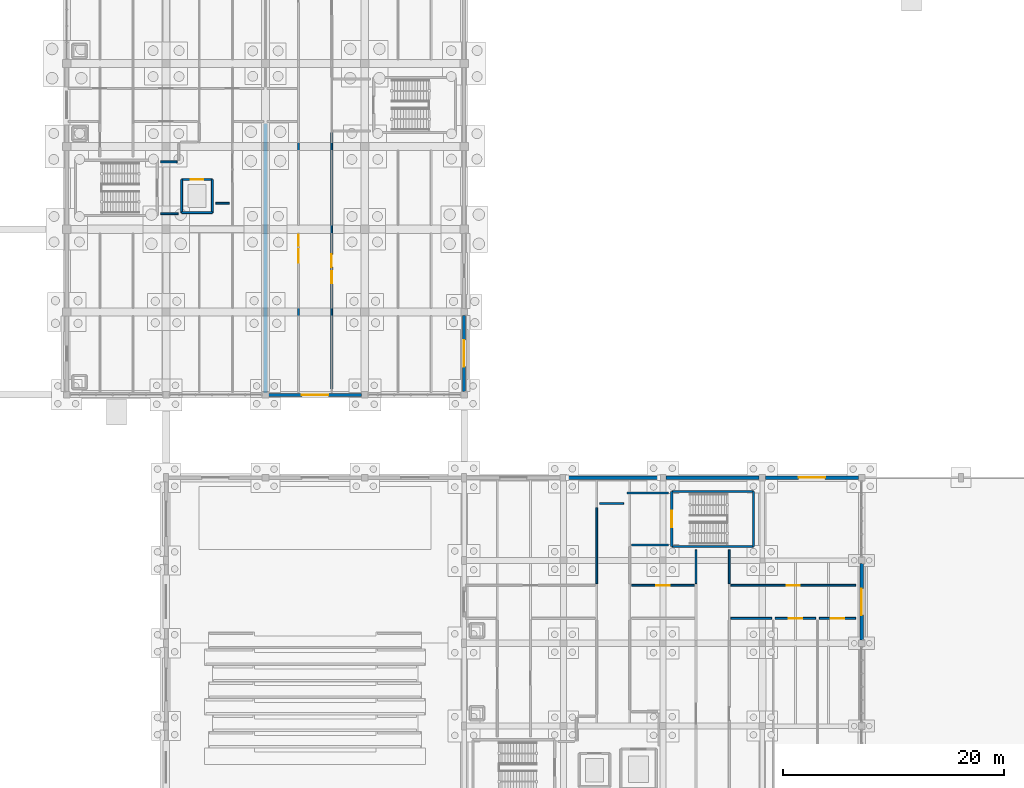
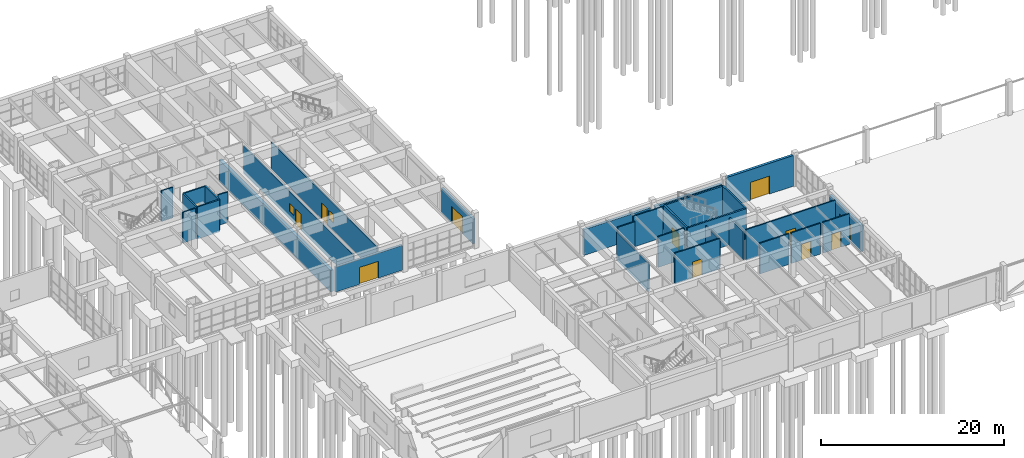
# One storey, part 82 of 93: 31 walls, 12 doors, 2 windows, 14 openings.
"""IFC4 building model written with IfcOpenShell, lengths in metres."""

from ifc_helpers import new_model, si_unit, direction, frame, frame_2d, origin, place, context, subcontext, project, spatial, rectangle, extrude, material, layer, layer_set, type_object, element, fill, save


model = new_model("IFC4")

# Units and contexts
model_context = context("Model", 3, precision=1e-05, world=origin(), true_north=direction((0.0, 1.0)))
body_context = subcontext(model_context, "Body", "Model", "MODEL_VIEW")
ifc_project = project(units=[si_unit("LENGTHUNIT", "METRE"), si_unit("AREAUNIT", "SQUARE_METRE"), si_unit("VOLUMEUNIT", "CUBIC_METRE"), si_unit("PLANEANGLEUNIT", "RADIAN"), si_unit("MASSUNIT", "GRAM", prefix="KILO")], contexts=[model_context])

# Site, building, storey
site_placement = place(None, origin())
site = spatial("IfcSite", under=ifc_project, at=site_placement, CompositionType="ELEMENT")
building_placement = place(site_placement, origin())
building = spatial("IfcBuilding", under=site, at=building_placement, Name="Marnridge Secondary College", CompositionType="ELEMENT")
storey_placement = place(building_placement, origin())
storey = spatial("IfcBuildingStorey", under=building, at=storey_placement, Name="L00", CompositionType="ELEMENT", Elevation=0.0)

# Walls
ifc_material_1 = material(Name="Acoustic plasterboard on steel Grade 350 framing Rw50", Category="steel")
ifc_layer_1 = layer(ifc_material_1, 0.3701171875)
ifc_layer_set_1 = layer_set([ifc_layer_1], Name="WT-AC-VAR13")
wall_type_1 = type_object("IfcWallType", Name="WT-AC-VAR13", PredefinedType="PARTITIONING", material=ifc_layer_set_1)
wall_1_placement = place(storey_placement, frame((72.0, 37.659912109375, 0.0), z_axis=(0.0, 0.0, 1.0), x_axis=(0.0, 1.0, 0.0)))
element("IfcWall", 1, at=wall_1_placement, inside=storey, type_object=wall_type_1, Name="Interior partition WP-L00-0027", PredefinedType="PARTITIONING", context=body_context, shape_type="SweptSolid", body=[
    extrude(rectangle(XDim=24.43017578125, YDim=0.3701171875, at=frame_2d((12.215087890625, 0.0))), origin(), (0.0, 0.0, 1.0), 2.8720703125),
])
ifc_material_2 = material(Name="Concrete C40/50 (AS 3600 N40, 40 MPa)", Category="concrete")
ifc_layer_2 = layer(ifc_material_2, 0.199951171875)
ifc_layer_set_2 = layer_set([ifc_layer_2], Name="WT-CORE-RC200")
wall_type_2 = type_object("IfcWallType", Name="WT-CORE-RC200", PredefinedType="SHEAR", material=ifc_layer_set_2)
wall_2_placement = place(storey_placement, frame((108.800048828125, 23.75, 0.0), z_axis=(0.0, 0.0, 1.0), x_axis=(1.0, 0.0, 0.0)))
element("IfcWall", 2, at=wall_2_placement, inside=storey, type_object=wall_type_2, Name="Stair core shear wall WC-L00-0381", PredefinedType="SHEAR", context=body_context, shape_type="SweptSolid", body=[
    extrude(rectangle(XDim=7.39990234375, YDim=0.199951171875, at=frame_2d((3.699951171875, 0.0))), origin(), (0.0, 0.0, 1.0), 4.10009765625),
])
wall_3_placement = place(storey_placement, frame((116.199951171875, 23.75, 0.0), z_axis=(0.0, 0.0, 1.0), x_axis=(0.0, 1.0, 0.0)))
element("IfcWall", 3, at=wall_3_placement, inside=storey, type_object=wall_type_2, Name="Stair core shear wall WC-L00-0382", PredefinedType="SHEAR", context=body_context, shape_type="SweptSolid", body=[
    extrude(rectangle(XDim=5.0, YDim=0.199951171875, at=frame_2d((2.5, 0.0))), origin(), (0.0, 0.0, 1.0), 4.10009765625),
])
wall_4_placement = place(storey_placement, frame((116.199951171875, 28.75, 0.0), z_axis=(0.0, 0.0, 1.0), x_axis=(-1.0, 0.0, 0.0)))
element("IfcWall", 4, at=wall_4_placement, inside=storey, type_object=wall_type_2, Name="Stair core shear wall WC-L00-0383", PredefinedType="SHEAR", context=body_context, shape_type="SweptSolid", body=[
    extrude(rectangle(XDim=7.39990234375, YDim=0.199951171875, at=frame_2d((3.699951171875, 0.0))), origin(), (0.0, 0.0, 1.0), 4.10009765625),
])

# Wall, opening, door
wall_5_placement = place(storey_placement, frame((108.800048828125, 23.75, 0.0), z_axis=(0.0, 0.0, 1.0), x_axis=(0.0, 1.0, 0.0)))
wall_5 = element("IfcWall", 5, at=wall_5_placement, inside=storey, type_object=wall_type_2, Name="Stair core shear wall WC-L00-0384", PredefinedType="SHEAR", context=body_context, shape_type="SweptSolid", body=[
    extrude(rectangle(XDim=5.0, YDim=0.199951171875, at=frame_2d((2.5, 0.0))), origin(), (0.0, 0.0, 1.0), 4.10009765625),
])
opening_1_placement = place(wall_5_placement, frame((1.75, 0.0, 0.0)))
opening_1 = element("IfcOpeningElement", 6, at=opening_1_placement, cuts=wall_5, Name="Opening DC-L00-034", PredefinedType="OPENING", context=body_context, shape_type="SweptSolid", body=[
    extrude(rectangle(XDim=1.5, YDim=2.14990234375, at=frame_2d((0.75, 1.074951171875))), frame((0.0, 0.10986328125, 0.0), z_axis=(0.0, -1.0, 0.0), x_axis=(1.0, 0.0, 0.0)), (0.0, 0.0, 1.0), 0.219970703125),
])
ifc_material_3 = material(Name="Fire-rated solid-core timber doorset", Category="wood")
door_type_1 = type_object("IfcDoorType", Name="DT-CORE-FD150", OperationType="DOUBLE_DOOR_SINGLE_SWING", PredefinedType="DOOR", material=ifc_material_3)
door_1_placement = place(opening_1_placement, origin())
door_1 = element("IfcDoor", 7, at=door_1_placement, inside=storey, type_object=door_type_1, Name="Fire stair door DC-L00-034", OperationType="DOUBLE_DOOR_SINGLE_SWING", OverallHeight=2.14990234375, OverallWidth=1.5, PredefinedType="DOOR", context=body_context, shape_type="SweptSolid", body=[
    extrude(rectangle(XDim=1.5, YDim=2.14990234375, at=frame_2d((0.75, 1.074951171875))), frame((0.0, 0.02490234375, 0.0), z_axis=(0.0, -1.0, 0.0), x_axis=(1.0, 0.0, 0.0)), (0.0, 0.0, 1.0), 0.050048828125),
])
fill(opening_1, door_1)

ifc_material_4 = material(Name="Concrete C40/50 (AS 3600 N40, 40 MPa)", Category="concrete")
ifc_layer_3 = layer(ifc_material_4, 0.280029296875)
ifc_layer_set_3 = layer_set([ifc_layer_3], Name="WT-EXT-RC280")
wall_type_3 = type_object("IfcWallType", Name="WT-EXT-RC280", PredefinedType="SOLIDWALL", material=ifc_layer_set_3)
wall_6_placement = place(storey_placement, frame((90.0, 44.7041015625, 0.0), z_axis=(0.0, 0.0, 1.0), x_axis=(0.0, -1.0, 0.0)))
wall_6 = element("IfcWall", 8, at=wall_6_placement, inside=storey, type_object=wall_type_3, Name="Exterior wall WE-L00-0007", PredefinedType="SOLIDWALL", context=body_context, shape_type="SweptSolid", body=[
    extrude(rectangle(XDim=6.908203125, YDim=0.280029296875, at=frame_2d((3.4541015625, 0.0))), origin(), (0.0, 0.0, 1.0), 3.322021484375),
])
opening_2_placement = place(wall_6_placement, frame((2.25390625, 0.0, 0.0)))
opening_2 = element("IfcOpeningElement", 9, at=opening_2_placement, cuts=wall_6, Name="Opening DE-L00-003", PredefinedType="OPENING", context=body_context, shape_type="SweptSolid", body=[
    extrude(rectangle(XDim=2.39990234375, YDim=2.25, at=frame_2d((1.199951171875, 1.125))), frame((0.0, 0.14990234375, 0.0), z_axis=(0.0, -1.0, 0.0), x_axis=(1.0, 0.0, 0.0)), (0.0, 0.0, 1.0), 0.300048828125),
])
ifc_material_5 = material(Name="Thermally broken aluminium and toughened glass", Category="aluminium")
door_type_2 = type_object("IfcDoorType", Name="DT-EXT-EXIT240", OperationType="DOUBLE_DOOR_SINGLE_SWING", PredefinedType="DOOR", material=ifc_material_5)
door_2_placement = place(opening_2_placement, origin())
door_2 = element("IfcDoor", 10, at=door_2_placement, inside=storey, type_object=door_type_2, Name="Civic entrance exit door DE-L00-003", OperationType="DOUBLE_DOOR_SINGLE_SWING", OverallHeight=2.25, OverallWidth=2.39990234375, PredefinedType="DOOR", context=body_context, shape_type="SweptSolid", body=[
    extrude(rectangle(XDim=2.39990234375, YDim=2.25, at=frame_2d((1.199951171875, 1.125))), frame((0.0, 0.02490234375, 0.0), z_axis=(0.0, -1.0, 0.0), x_axis=(1.0, 0.0, 0.0)), (0.0, 0.0, 1.0), 0.050048828125),
])
fill(opening_2, door_2)

wall_7_placement = place(storey_placement, frame((80.7041015625, 37.5, 0.0), z_axis=(0.0, 0.0, 1.0), x_axis=(-1.0, 0.0, 0.0)))
wall_7 = element("IfcWall", 11, at=wall_7_placement, inside=storey, type_object=wall_type_3, Name="Exterior wall WE-L00-0008", PredefinedType="SOLIDWALL", context=body_context, shape_type="SweptSolid", body=[
    extrude(rectangle(XDim=8.408203125, YDim=0.280029296875, at=frame_2d((4.2041015625, 0.0))), origin(), (0.0, 0.0, 1.0), 3.322021484375),
])
opening_3_placement = place(wall_7_placement, frame((3.00390625, 0.0, 0.0)))
opening_3 = element("IfcOpeningElement", 12, at=opening_3_placement, cuts=wall_7, Name="Opening DE-L00-004", PredefinedType="OPENING", context=body_context, shape_type="SweptSolid", body=[
    extrude(rectangle(XDim=2.39990234375, YDim=2.25, at=frame_2d((1.199951171875, 1.125))), frame((0.0, 0.14990234375, 0.0), z_axis=(0.0, -1.0, 0.0), x_axis=(1.0, 0.0, 0.0)), (0.0, 0.0, 1.0), 0.300048828125),
])
door_3_placement = place(opening_3_placement, origin())
door_3 = element("IfcDoor", 13, at=door_3_placement, inside=storey, type_object=door_type_2, Name="Civic entrance exit door DE-L00-004", OperationType="DOUBLE_DOOR_SINGLE_SWING", OverallHeight=2.25, OverallWidth=2.39990234375, PredefinedType="DOOR", context=body_context, shape_type="SweptSolid", body=[
    extrude(rectangle(XDim=2.39990234375, YDim=2.25, at=frame_2d((1.199951171875, 1.125))), frame((0.0, 0.02490234375, 0.0), z_axis=(0.0, -1.0, 0.0), x_axis=(1.0, 0.0, 0.0)), (0.0, 0.0, 1.0), 0.050048828125),
])
fill(opening_3, door_3)

# Walls
ifc_material_6 = material(Name="Concrete C40/50 (AS 3600 N40, 40 MPa)", Category="concrete")
ifc_layer_4 = layer(ifc_material_6, 0.320068359375)
ifc_layer_set_4 = layer_set([ifc_layer_4], Name="WT-EXT-RC320")
wall_type_4 = type_object("IfcWallType", Name="WT-EXT-RC320", PredefinedType="SOLIDWALL", material=ifc_layer_set_4)
for number, where, z_axis, x_axis, name in (
    (14, (99.2958984375, 30.0, 0.0), (0.0, 0.0, 1.0), (1.0, 0.0, 0.0), "Exterior wall WE-L00-0039"),
    (15, (108.2958984375, 30.0, 0.0), (0.0, 0.0, 1.0), (1.0, 0.0, 0.0), "Exterior wall WE-L00-0040"),
):
    element("IfcWall", number, at=place(storey_placement, frame(where, z_axis=z_axis, x_axis=x_axis)), inside=storey, type_object=wall_type_4, Name=name, PredefinedType="SOLIDWALL", context=body_context, shape_type="SweptSolid", body=[
        extrude(rectangle(XDim=8.408203125, YDim=0.320068359375, at=frame_2d((4.2041015625, 0.0))), origin(), (0.0, 0.0, 1.0), 3.44189453125),
    ])

# Wall, opening, door
wall_8_placement = place(storey_placement, frame((117.2958984375, 30.0, 0.0), z_axis=(0.0, 0.0, 1.0), x_axis=(1.0, 0.0, 0.0)))
wall_8 = element("IfcWall", 16, at=wall_8_placement, inside=storey, type_object=wall_type_4, Name="Exterior wall WE-L00-0041", PredefinedType="SOLIDWALL", context=body_context, shape_type="SweptSolid", body=[
    extrude(rectangle(XDim=8.408203125, YDim=0.320068359375, at=frame_2d((4.2041015625, 0.0))), origin(), (0.0, 0.0, 1.0), 4.10009765625),
])
opening_4_placement = place(wall_8_placement, frame((3.00390625, 0.0, 0.0)))
opening_4 = element("IfcOpeningElement", 17, at=opening_4_placement, cuts=wall_8, Name="Opening GT-03", PredefinedType="OPENING", context=body_context, shape_type="SweptSolid", body=[
    extrude(rectangle(XDim=2.39990234375, YDim=2.39990234375, at=frame_2d((1.199951171875, 1.199951171875))), frame((0.0, 0.169921875, 0.0), z_axis=(0.0, -1.0, 0.0), x_axis=(1.0, 0.0, 0.0)), (0.0, 0.0, 1.0), 0.340087890625),
])
ifc_material_7 = material(Name="Galvanised steel Grade 350 bicycle hub security gate", Category="steel")
door_type_3 = type_object("IfcDoorType", Name="GT-BIKE-240", OperationType="DOUBLE_DOOR_SINGLE_SWING", PredefinedType="GATE", material=ifc_material_7)
door_4_placement = place(opening_4_placement, origin())
door_4 = element("IfcDoor", 18, at=door_4_placement, inside=storey, type_object=door_type_3, Name="Bicycle hub gate GT-03", OperationType="DOUBLE_DOOR_SINGLE_SWING", OverallHeight=2.39990234375, OverallWidth=2.39990234375, PredefinedType="GATE", context=body_context, shape_type="SweptSolid", body=[
    extrude(rectangle(XDim=2.39990234375, YDim=2.39990234375, at=frame_2d((1.199951171875, 1.199951171875))), frame((0.0, 0.02490234375, 0.0), z_axis=(0.0, -1.0, 0.0), x_axis=(1.0, 0.0, 0.0)), (0.0, 0.0, 1.0), 0.050048828125),
])
fill(opening_4, door_4)

wall_9_placement = place(storey_placement, frame((126.0, 22.2041015625, 0.0), z_axis=(0.0, 0.0, 1.0), x_axis=(0.0, -1.0, 0.0)))
wall_9 = element("IfcWall", 19, at=wall_9_placement, inside=storey, type_object=wall_type_4, Name="Exterior wall WE-L00-0042", PredefinedType="SOLIDWALL", context=body_context, shape_type="SweptSolid", body=[
    extrude(rectangle(XDim=6.908203125, YDim=0.320068359375, at=frame_2d((3.4541015625, 0.0))), origin(), (0.0, 0.0, 1.0), 3.44189453125),
])
opening_5_placement = place(wall_9_placement, frame((2.25390625, 0.0, 0.0)))
opening_5 = element("IfcOpeningElement", 20, at=opening_5_placement, cuts=wall_9, Name="Opening DE-L00-015", PredefinedType="OPENING", context=body_context, shape_type="SweptSolid", body=[
    extrude(rectangle(XDim=2.39990234375, YDim=2.25, at=frame_2d((1.199951171875, 1.125))), frame((0.0, 0.169921875, 0.0), z_axis=(0.0, -1.0, 0.0), x_axis=(1.0, 0.0, 0.0)), (0.0, 0.0, 1.0), 0.340087890625),
])
door_5_placement = place(opening_5_placement, origin())
door_5 = element("IfcDoor", 21, at=door_5_placement, inside=storey, type_object=door_type_2, Name="Civic entrance exit door DE-L00-015", OperationType="DOUBLE_DOOR_SINGLE_SWING", OverallHeight=2.25, OverallWidth=2.39990234375, PredefinedType="DOOR", context=body_context, shape_type="SweptSolid", body=[
    extrude(rectangle(XDim=2.39990234375, YDim=2.25, at=frame_2d((1.199951171875, 1.125))), frame((0.0, 0.02490234375, 0.0), z_axis=(0.0, -1.0, 0.0), x_axis=(1.0, 0.0, 0.0)), (0.0, 0.0, 1.0), 0.050048828125),
])
fill(opening_5, door_5)

# Walls
ifc_material_8 = material(Name="Acoustic plasterboard on twin steel Grade 350 framing Rw55", Category="steel")
ifc_layer_5 = layer(ifc_material_8, 0.1650390625)
ifc_layer_set_5 = layer_set([ifc_layer_5], Name="WT-PART-AC165")
wall_type_5 = type_object("IfcWallType", Name="WT-PART-AC165", PredefinedType="PARTITIONING", material=ifc_layer_set_5)
wall_10_placement = place(storey_placement, frame((64.10009765625, 53.89990234375, 0.0), z_axis=(0.0, 0.0, 1.0), x_axis=(-1.0, 0.0, 0.0)))
element("IfcWall", 22, at=wall_10_placement, inside=storey, type_object=wall_type_5, Name="Interior partition WP-L00-0007", PredefinedType="PARTITIONING", context=body_context, shape_type="SweptSolid", body=[
    extrude(rectangle(XDim=1.60009765625, YDim=0.1650390625, at=frame_2d((0.800048828125, 0.0))), origin(), (0.0, 0.0, 1.0), 4.080078125),
])
wall_11_placement = place(storey_placement, frame((68.739990234375, 54.85009765625, 0.0), z_axis=(0.0, 0.0, 1.0), x_axis=(-1.0, 0.0, 0.0)))
element("IfcWall", 23, at=wall_11_placement, inside=storey, type_object=wall_type_5, Name="Interior partition WP-L00-0010", PredefinedType="PARTITIONING", context=body_context, shape_type="SweptSolid", body=[
    extrude(rectangle(XDim=1.239990234375, YDim=0.1650390625, at=frame_2d((0.6201171875, 0.0))), origin(), (0.0, 0.0, 1.0), 4.080078125),
])

# Wall, openings, door, window
wall_12_placement = place(storey_placement, frame((75.0, 38.043212890625, 0.0), z_axis=(0.0, 0.0, 1.0), x_axis=(0.0, 1.0, 0.0)))
wall_12 = element("IfcWall", 24, at=wall_12_placement, inside=storey, type_object=wall_type_5, Name="Interior partition WP-L00-0011", PredefinedType="PARTITIONING", context=body_context, shape_type="SweptSolid", body=[
    extrude(rectangle(XDim=24.046875, YDim=0.1650390625, at=frame_2d((12.0234375, 0.0))), origin(), (0.0, 0.0, 1.0), 3.6220703125),
])
opening_6_placement = place(wall_12_placement, frame((11.423583984375, 0.0, 0.0)))
opening_6 = element("IfcOpeningElement", 25, at=opening_6_placement, cuts=wall_12, Name="Opening DI-L00-0005", PredefinedType="OPENING", context=body_context, shape_type="SweptSolid", body=[
    extrude(rectangle(XDim=1.199951171875, YDim=2.14990234375, at=frame_2d((0.60009765625, 1.074951171875))), frame((0.0, 0.092529296875, 0.0), z_axis=(0.0, -1.0, 0.0), x_axis=(1.0, 0.0, 0.0)), (0.0, 0.0, 1.0), 0.18505859375),
])
opening_7_placement = place(wall_12_placement, frame((12.973388671875, 0.0, 1.02001953125)))
opening_7 = element("IfcOpeningElement", 26, at=opening_7_placement, cuts=wall_12, Name="Opening WNI-L00-002", PredefinedType="OPENING", context=body_context, shape_type="SweptSolid", body=[
    extrude(rectangle(XDim=1.0, YDim=1.080078125, at=frame_2d((0.5, 0.5400390625))), frame((0.0, 0.092529296875, 0.0), z_axis=(0.0, -1.0, 0.0), x_axis=(1.0, 0.0, 0.0)), (0.0, 0.0, 1.0), 0.18505859375),
])
ifc_material_9 = material(Name="Galvanised steel Grade 350 plant-room fire doorset", Category="steel")
door_type_4 = type_object("IfcDoorType", Name="DT-PLT-120", OperationType="NOTDEFINED", PredefinedType="DOOR", material=ifc_material_9)
door_6_placement = place(opening_6_placement, origin())
door_6 = element("IfcDoor", 27, at=door_6_placement, inside=storey, type_object=door_type_4, Name="Interior door DI-L00-0005", OperationType="SINGLE_SWING_LEFT", OverallHeight=2.14990234375, OverallWidth=1.199951171875, PredefinedType="DOOR", context=body_context, shape_type="SweptSolid", body=[
    extrude(rectangle(XDim=1.199951171875, YDim=2.14990234375, at=frame_2d((0.60009765625, 1.074951171875))), frame((0.0, 0.02490234375, 0.0), z_axis=(0.0, -1.0, 0.0), x_axis=(1.0, 0.0, 0.0)), (0.0, 0.0, 1.0), 0.050048828125),
])
fill(opening_6, door_6)
ifc_material_10 = material(Name="Acoustic laminated interior vision glazing", Category="glass")
window_type_1 = type_object("IfcWindowType", Name="WN-BL-VAR02", PartitioningType="DOUBLE_PANEL_VERTICAL", PredefinedType="WINDOW", material=ifc_material_10)
window_1_placement = place(opening_7_placement, origin())
window_1 = element("IfcWindow", 28, at=window_1_placement, inside=storey, type_object=window_type_1, Name="Interior vision window WNI-L00-002", OverallHeight=1.080078125, OverallWidth=1.0, PartitioningType="DOUBLE_PANEL_VERTICAL", PredefinedType="WINDOW", context=body_context, shape_type="SweptSolid", body=[
    extrude(rectangle(XDim=1.0, YDim=1.080078125, at=frame_2d((0.5, 0.5400390625))), frame((0.0, 0.030029296875, 0.0), z_axis=(0.0, -1.0, 0.0), x_axis=(1.0, 0.0, 0.0)), (0.0, 0.0, 1.0), 0.06005859375),
])
fill(opening_7, window_1)

wall_13_placement = place(storey_placement, frame((78.0, 61.239990234375, 0.0), z_axis=(0.0, 0.0, 1.0), x_axis=(0.0, -1.0, 0.0)))
wall_13 = element("IfcWall", 29, at=wall_13_placement, inside=storey, type_object=wall_type_5, Name="Interior partition WP-L00-0014", PredefinedType="PARTITIONING", context=body_context, shape_type="SweptSolid", body=[
    extrude(rectangle(XDim=23.19677734375, YDim=0.1650390625, at=frame_2d((11.598388671875, 0.0))), origin(), (0.0, 0.0, 1.0), 3.6220703125),
])
opening_8_placement = place(wall_13_placement, frame((10.99853515625, 0.0, 0.0)))
opening_8 = element("IfcOpeningElement", 30, at=opening_8_placement, cuts=wall_13, Name="Opening DI-L00-0006", PredefinedType="OPENING", context=body_context, shape_type="SweptSolid", body=[
    extrude(rectangle(XDim=1.199951171875, YDim=2.14990234375, at=frame_2d((0.60009765625, 1.074951171875))), frame((0.0, 0.092529296875, 0.0), z_axis=(0.0, -1.0, 0.0), x_axis=(1.0, 0.0, 0.0)), (0.0, 0.0, 1.0), 0.18505859375),
])
opening_9_placement = place(wall_13_placement, frame((12.548583984375, 0.0, 1.02001953125)))
opening_9 = element("IfcOpeningElement", 31, at=opening_9_placement, cuts=wall_13, Name="Opening WNI-L00-003", PredefinedType="OPENING", context=body_context, shape_type="SweptSolid", body=[
    extrude(rectangle(XDim=1.10009765625, YDim=1.1201171875, at=frame_2d((0.550048828125, 0.56005859375))), frame((0.0, 0.092529296875, 0.0), z_axis=(0.0, -1.0, 0.0), x_axis=(1.0, 0.0, 0.0)), (0.0, 0.0, 1.0), 0.18505859375),
])
door_7_placement = place(opening_8_placement, origin())
door_7 = element("IfcDoor", 32, at=door_7_placement, inside=storey, type_object=door_type_4, Name="Interior door DI-L00-0006", OperationType="SINGLE_SWING_RIGHT", OverallHeight=2.14990234375, OverallWidth=1.199951171875, PredefinedType="DOOR", context=body_context, shape_type="SweptSolid", body=[
    extrude(rectangle(XDim=1.199951171875, YDim=2.14990234375, at=frame_2d((0.60009765625, 1.074951171875))), frame((0.0, 0.02490234375, 0.0), z_axis=(0.0, -1.0, 0.0), x_axis=(1.0, 0.0, 0.0)), (0.0, 0.0, 1.0), 0.050048828125),
])
fill(opening_8, door_7)
ifc_material_11 = material(Name="Acoustic laminated interior vision glazing", Category="glass")
window_type_2 = type_object("IfcWindowType", Name="WN-BL-VAR03", PartitioningType="DOUBLE_PANEL_VERTICAL", PredefinedType="WINDOW", material=ifc_material_11)
window_2_placement = place(opening_9_placement, origin())
window_2 = element("IfcWindow", 33, at=window_2_placement, inside=storey, type_object=window_type_2, Name="Interior vision window WNI-L00-003", OverallHeight=1.1201171875, OverallWidth=1.10009765625, PartitioningType="DOUBLE_PANEL_VERTICAL", PredefinedType="WINDOW", context=body_context, shape_type="SweptSolid", body=[
    extrude(rectangle(XDim=1.10009765625, YDim=1.1201171875, at=frame_2d((0.550048828125, 0.56005859375))), frame((0.0, 0.030029296875, 0.0), z_axis=(0.0, -1.0, 0.0), x_axis=(1.0, 0.0, 0.0)), (0.0, 0.0, 1.0), 0.06005859375),
])
fill(opening_9, window_2)

# Walls
wall_14_placement = place(storey_placement, frame((62.5, 58.60009765625, 0.0), z_axis=(0.0, 0.0, 1.0), x_axis=(1.0, 0.0, 0.0)))
element("IfcWall", 34, at=wall_14_placement, inside=storey, type_object=wall_type_5, Name="Interior partition WP-L00-0015", PredefinedType="PARTITIONING", context=body_context, shape_type="SweptSolid", body=[
    extrude(rectangle(XDim=1.489990234375, YDim=0.1650390625, at=frame_2d((0.7451171875, 0.0))), origin(), (0.0, 0.0, 1.0), 4.080078125),
])
wall_15_placement = place(storey_placement, frame((117.840087890625, 17.25, 0.0), z_axis=(0.0, 0.0, 1.0), x_axis=(-1.0, 0.0, 0.0)))
element("IfcWall", 35, at=wall_15_placement, inside=storey, type_object=wall_type_5, Name="Interior partition WP-L00-0040", PredefinedType="PARTITIONING", context=body_context, shape_type="SweptSolid", body=[
    extrude(rectangle(XDim=3.68017578125, YDim=0.1650390625, at=frame_2d((1.840087890625, 0.0))), origin(), (0.0, 0.0, 1.0), 4.10009765625),
])

# Wall, opening, door
wall_16_placement = place(storey_placement, frame((121.840087890625, 17.25, 0.0), z_axis=(0.0, 0.0, 1.0), x_axis=(-1.0, 0.0, 0.0)))
wall_16 = element("IfcWall", 36, at=wall_16_placement, inside=storey, type_object=wall_type_5, Name="Interior partition WP-L00-0042", PredefinedType="PARTITIONING", context=body_context, shape_type="SweptSolid", body=[
    extrude(rectangle(XDim=3.68017578125, YDim=0.1650390625, at=frame_2d((1.840087890625, 0.0))), origin(), (0.0, 0.0, 1.0), 4.10009765625),
])
opening_10_placement = place(wall_16_placement, frame((1.239990234375, 0.0, 0.0)))
opening_10 = element("IfcOpeningElement", 37, at=opening_10_placement, cuts=wall_16, Name="Opening DI-L00-0016", PredefinedType="OPENING", context=body_context, shape_type="SweptSolid", body=[
    extrude(rectangle(XDim=1.199951171875, YDim=2.14990234375, at=frame_2d((0.60009765625, 1.074951171875))), frame((0.0, 0.092529296875, 0.0), z_axis=(0.0, -1.0, 0.0), x_axis=(1.0, 0.0, 0.0)), (0.0, 0.0, 1.0), 0.18505859375),
])
door_8_placement = place(opening_10_placement, origin())
door_8 = element("IfcDoor", 38, at=door_8_placement, inside=storey, type_object=door_type_4, Name="Interior door DI-L00-0016", OperationType="SINGLE_SWING_RIGHT", OverallHeight=2.14990234375, OverallWidth=1.199951171875, PredefinedType="DOOR", context=body_context, shape_type="SweptSolid", body=[
    extrude(rectangle(XDim=1.199951171875, YDim=2.14990234375, at=frame_2d((0.60009765625, 1.074951171875))), frame((0.0, 0.02490234375, 0.0), z_axis=(0.0, -1.0, 0.0), x_axis=(1.0, 0.0, 0.0)), (0.0, 0.0, 1.0), 0.050048828125),
])
fill(opening_10, door_8)

wall_17_placement = place(storey_placement, frame((125.456787109375, 17.25, 0.0), z_axis=(0.0, 0.0, 1.0), x_axis=(-1.0, 0.0, 0.0)))
wall_17 = element("IfcWall", 39, at=wall_17_placement, inside=storey, type_object=wall_type_5, Name="Interior partition WP-L00-0043", PredefinedType="PARTITIONING", context=body_context, shape_type="SweptSolid", body=[
    extrude(rectangle(XDim=3.296875, YDim=0.1650390625, at=frame_2d((1.6484375, 0.0))), origin(), (0.0, 0.0, 1.0), 4.10009765625),
])
opening_11_placement = place(wall_17_placement, frame((1.048583984375, 0.0, 0.0)))
opening_11 = element("IfcOpeningElement", 40, at=opening_11_placement, cuts=wall_17, Name="Opening DI-L00-0017", PredefinedType="OPENING", context=body_context, shape_type="SweptSolid", body=[
    extrude(rectangle(XDim=1.199951171875, YDim=2.14990234375, at=frame_2d((0.60009765625, 1.074951171875))), frame((0.0, 0.092529296875, 0.0), z_axis=(0.0, -1.0, 0.0), x_axis=(1.0, 0.0, 0.0)), (0.0, 0.0, 1.0), 0.18505859375),
])
door_9_placement = place(opening_11_placement, origin())
door_9 = element("IfcDoor", 41, at=door_9_placement, inside=storey, type_object=door_type_4, Name="Interior door DI-L00-0017", OperationType="SINGLE_SWING_LEFT", OverallHeight=2.14990234375, OverallWidth=1.199951171875, PredefinedType="DOOR", context=body_context, shape_type="SweptSolid", body=[
    extrude(rectangle(XDim=1.199951171875, YDim=2.14990234375, at=frame_2d((0.60009765625, 1.074951171875))), frame((0.0, 0.02490234375, 0.0), z_axis=(0.0, -1.0, 0.0), x_axis=(1.0, 0.0, 0.0)), (0.0, 0.0, 1.0), 0.050048828125),
])
fill(opening_11, door_9)

# Walls
wall_18_placement = place(storey_placement, frame((102.0, 20.409912109375, 0.0), z_axis=(0.0, 0.0, 1.0), x_axis=(0.0, 1.0, 0.0)))
element("IfcWall", 42, at=wall_18_placement, inside=storey, type_object=wall_type_5, Name="Interior partition WP-L00-0058", PredefinedType="PARTITIONING", context=body_context, shape_type="SweptSolid", body=[
    extrude(rectangle(XDim=6.880126953125, YDim=0.1650390625, at=frame_2d((3.43994140625, 0.0))), origin(), (0.0, 0.0, 1.0), 3.7880859375),
])
wall_19_placement = place(storey_placement, frame((102.260009765625, 27.64990234375, 0.0), z_axis=(0.0, 0.0, 1.0), x_axis=(1.0, 0.0, 0.0)))
element("IfcWall", 43, at=wall_19_placement, inside=storey, type_object=wall_type_5, Name="Interior partition WP-L00-0059", PredefinedType="PARTITIONING", context=body_context, shape_type="SweptSolid", body=[
    extrude(rectangle(XDim=2.179931640625, YDim=0.1650390625, at=frame_2d((1.08984375, 0.0))), origin(), (0.0, 0.0, 1.0), 4.10009765625),
])
wall_20_placement = place(storey_placement, frame((104.760009765625, 28.60009765625, 0.0), z_axis=(0.0, 0.0, 1.0), x_axis=(1.0, 0.0, 0.0)))
element("IfcWall", 44, at=wall_20_placement, inside=storey, type_object=wall_type_5, Name="Interior partition WP-L00-0060", PredefinedType="PARTITIONING", context=body_context, shape_type="SweptSolid", body=[
    extrude(rectangle(XDim=3.739990234375, YDim=0.1650390625, at=frame_2d((1.8701171875, 0.0))), origin(), (0.0, 0.0, 1.0), 4.10009765625),
])
wall_21_placement = place(storey_placement, frame((108.5, 23.89990234375, 0.0), z_axis=(0.0, 0.0, 1.0), x_axis=(-1.0, 0.0, 0.0)))
element("IfcWall", 45, at=wall_21_placement, inside=storey, type_object=wall_type_5, Name="Interior partition WP-L00-0061", PredefinedType="PARTITIONING", context=body_context, shape_type="SweptSolid", body=[
    extrude(rectangle(XDim=3.340087890625, YDim=0.1650390625, at=frame_2d((1.669921875, 0.0))), origin(), (0.0, 0.0, 1.0), 4.10009765625),
])

# Wall, opening, door
wall_22_placement = place(storey_placement, frame((105.159912109375, 20.25, 0.0), z_axis=(0.0, 0.0, 1.0), x_axis=(1.0, 0.0, 0.0)))
wall_22 = element("IfcWall", 46, at=wall_22_placement, inside=storey, type_object=wall_type_5, Name="Interior partition WP-L00-0063", PredefinedType="PARTITIONING", context=body_context, shape_type="SweptSolid", body=[
    extrude(rectangle(XDim=5.68017578125, YDim=0.1650390625, at=frame_2d((2.840087890625, 0.0))), origin(), (0.0, 0.0, 1.0), 4.10009765625),
])
opening_12_placement = place(wall_22_placement, frame((2.239990234375, 0.0, 0.0)))
opening_12 = element("IfcOpeningElement", 47, at=opening_12_placement, cuts=wall_22, Name="Opening DI-L00-0022", PredefinedType="OPENING", context=body_context, shape_type="SweptSolid", body=[
    extrude(rectangle(XDim=1.199951171875, YDim=2.14990234375, at=frame_2d((0.60009765625, 1.074951171875))), frame((0.0, 0.092529296875, 0.0), z_axis=(0.0, -1.0, 0.0), x_axis=(1.0, 0.0, 0.0)), (0.0, 0.0, 1.0), 0.18505859375),
])
door_10_placement = place(opening_12_placement, origin())
door_10 = element("IfcDoor", 48, at=door_10_placement, inside=storey, type_object=door_type_4, Name="Interior door DI-L00-0022", OperationType="SINGLE_SWING_RIGHT", OverallHeight=2.14990234375, OverallWidth=1.199951171875, PredefinedType="DOOR", context=body_context, shape_type="SweptSolid", body=[
    extrude(rectangle(XDim=1.199951171875, YDim=2.14990234375, at=frame_2d((0.60009765625, 1.074951171875))), frame((0.0, 0.02490234375, 0.0), z_axis=(0.0, -1.0, 0.0), x_axis=(1.0, 0.0, 0.0)), (0.0, 0.0, 1.0), 0.050048828125),
])
fill(opening_12, door_10)

# Walls
for number, where, z_axis, x_axis, name in (
    (49, (111.0, 20.409912109375, 0.0), (0.0, 0.0, 1.0), (0.0, 1.0, 0.0), "Interior partition WP-L00-0064"),
    (50, (114.0, 23.449951171875, 0.0), (0.0, 0.0, 1.0), (0.0, -1.0, 0.0), "Interior partition WP-L00-0065"),
):
    element("IfcWall", number, at=place(storey_placement, frame(where, z_axis=z_axis, x_axis=x_axis)), inside=storey, type_object=wall_type_5, Name=name, PredefinedType="PARTITIONING", context=body_context, shape_type="SweptSolid", body=[
        extrude(rectangle(XDim=3.0400390625, YDim=0.1650390625, at=frame_2d((1.52001953125, 0.0))), origin(), (0.0, 0.0, 1.0), 3.7880859375),
    ])

# Wall, opening, door
wall_23_placement = place(storey_placement, frame((114.159912109375, 20.25, 0.0), z_axis=(0.0, 0.0, 1.0), x_axis=(1.0, 0.0, 0.0)))
wall_23 = element("IfcWall", 51, at=wall_23_placement, inside=storey, type_object=wall_type_5, Name="Interior partition WP-L00-0066", PredefinedType="PARTITIONING", context=body_context, shape_type="SweptSolid", body=[
    extrude(rectangle(XDim=11.296875, YDim=0.1650390625, at=frame_2d((5.6484375, 0.0))), origin(), (0.0, 0.0, 1.0), 4.10009765625),
])
opening_13_placement = place(wall_23_placement, frame((5.048583984375, 0.0, 0.0)))
opening_13 = element("IfcOpeningElement", 52, at=opening_13_placement, cuts=wall_23, Name="Opening DI-L00-0023", PredefinedType="OPENING", context=body_context, shape_type="SweptSolid", body=[
    extrude(rectangle(XDim=1.199951171875, YDim=2.14990234375, at=frame_2d((0.60009765625, 1.074951171875))), frame((0.0, 0.092529296875, 0.0), z_axis=(0.0, -1.0, 0.0), x_axis=(1.0, 0.0, 0.0)), (0.0, 0.0, 1.0), 0.18505859375),
])
door_11_placement = place(opening_13_placement, origin())
door_11 = element("IfcDoor", 53, at=door_11_placement, inside=storey, type_object=door_type_4, Name="Interior door DI-L00-0023", OperationType="SINGLE_SWING_LEFT", OverallHeight=2.14990234375, OverallWidth=1.199951171875, PredefinedType="DOOR", context=body_context, shape_type="SweptSolid", body=[
    extrude(rectangle(XDim=1.199951171875, YDim=2.14990234375, at=frame_2d((0.60009765625, 1.074951171875))), frame((0.0, 0.02490234375, 0.0), z_axis=(0.0, -1.0, 0.0), x_axis=(1.0, 0.0, 0.0)), (0.0, 0.0, 1.0), 0.050048828125),
])
fill(opening_13, door_11)

# Walls
ifc_material_12 = material(Name="Concrete C40/50 (AS 3600 N40, 40 MPa)", Category="concrete")
ifc_layer_6 = layer(ifc_material_12, 0.179931640625)
ifc_layer_set_6 = layer_set([ifc_layer_6], Name="WT-SHAFT-RC180")
wall_type_6 = type_object("IfcWallType", Name="WT-SHAFT-RC180", PredefinedType="SHEAR", material=ifc_layer_set_6)
wall_24_placement = place(storey_placement, frame((67.199951171875, 54.0, -0.199951171875), z_axis=(0.0, 0.0, 1.0), x_axis=(-1.0, 0.0, 0.0)))
element("IfcWall", 54, at=wall_24_placement, inside=storey, type_object=wall_type_6, Name="Lift shaft wall WL-L00-0409", PredefinedType="SHEAR", context=body_context, shape_type="SweptSolid", body=[
    extrude(rectangle(XDim=2.800048828125, YDim=0.179931640625, at=frame_2d((1.39990234375, 0.0))), origin(), (0.0, 0.0, 1.0), 4.280029296875),
])
wall_25_placement = place(storey_placement, frame((64.39990234375, 54.0, -0.199951171875), z_axis=(0.0, 0.0, 1.0), x_axis=(0.0, 1.0, 0.0)))
element("IfcWall", 55, at=wall_25_placement, inside=storey, type_object=wall_type_6, Name="Lift shaft wall WL-L00-0410", PredefinedType="SHEAR", context=body_context, shape_type="SweptSolid", body=[
    extrude(rectangle(XDim=3.0, YDim=0.179931640625, at=frame_2d((1.5, 0.0))), origin(), (0.0, 0.0, 1.0), 4.280029296875),
])

# Wall, opening, door
wall_26_placement = place(storey_placement, frame((64.39990234375, 57.0, -0.199951171875), z_axis=(0.0, 0.0, 1.0), x_axis=(1.0, 0.0, 0.0)))
wall_26 = element("IfcWall", 56, at=wall_26_placement, inside=storey, type_object=wall_type_6, Name="Lift shaft wall WL-L00-0411", PredefinedType="SHEAR", context=body_context, shape_type="SweptSolid", body=[
    extrude(rectangle(XDim=2.800048828125, YDim=0.179931640625, at=frame_2d((1.39990234375, 0.0))), origin(), (0.0, 0.0, 1.0), 4.280029296875),
])
opening_14_placement = place(wall_26_placement, frame((0.85009765625, 0.0, 0.199951171875)))
opening_14 = element("IfcOpeningElement", 57, at=opening_14_placement, cuts=wall_26, Name="Opening LD-LC-01-L00", PredefinedType="OPENING", context=body_context, shape_type="SweptSolid", body=[
    extrude(rectangle(XDim=1.10009765625, YDim=2.14990234375, at=frame_2d((0.550048828125, 1.074951171875))), frame((0.0, 0.099853515625, 0.0), z_axis=(0.0, -1.0, 0.0), x_axis=(1.0, 0.0, 0.0)), (0.0, 0.0, 1.0), 0.199951171875),
])
ifc_material_13 = material(Name="Stainless steel Grade 350 automatic sliding lift landing doorset", Category="steel")
door_type_5 = type_object("IfcDoorType", Name="DT-LIFT-LD110", OperationType="SLIDING_TO_LEFT", PredefinedType="DOOR", material=ifc_material_13)
door_12_placement = place(opening_14_placement, origin())
door_12 = element("IfcDoor", 58, at=door_12_placement, inside=storey, type_object=door_type_5, Name="Sliding lift landing door LD-LC-01-L00", OperationType="SLIDING_TO_LEFT", OverallHeight=2.14990234375, OverallWidth=1.10009765625, PredefinedType="DOOR", context=body_context, shape_type="SweptSolid", body=[
    extrude(rectangle(XDim=1.10009765625, YDim=2.14990234375, at=frame_2d((0.550048828125, 1.074951171875))), frame((0.0, 0.02490234375, 0.0), z_axis=(0.0, -1.0, 0.0), x_axis=(1.0, 0.0, 0.0)), (0.0, 0.0, 1.0), 0.050048828125),
])
fill(opening_14, door_12)

# Wall
wall_27_placement = place(storey_placement, frame((67.199951171875, 57.0, -0.199951171875), z_axis=(0.0, 0.0, 1.0), x_axis=(0.0, -1.0, 0.0)))
element("IfcWall", 59, at=wall_27_placement, inside=storey, type_object=wall_type_6, Name="Lift shaft wall WL-L00-0412", PredefinedType="SHEAR", context=body_context, shape_type="SweptSolid", body=[
    extrude(rectangle(XDim=3.0, YDim=0.179931640625, at=frame_2d((1.5, 0.0))), origin(), (0.0, 0.0, 1.0), 4.280029296875),
])

save(model, "model.ifc")
